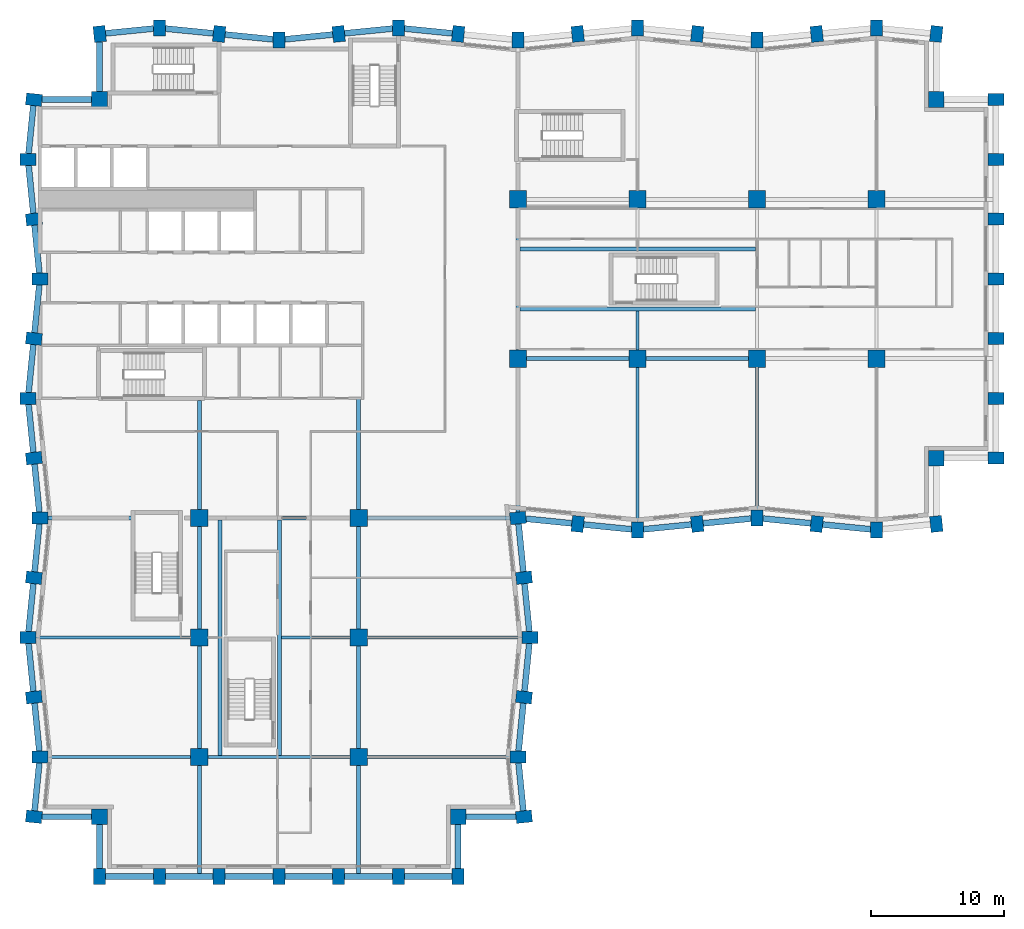
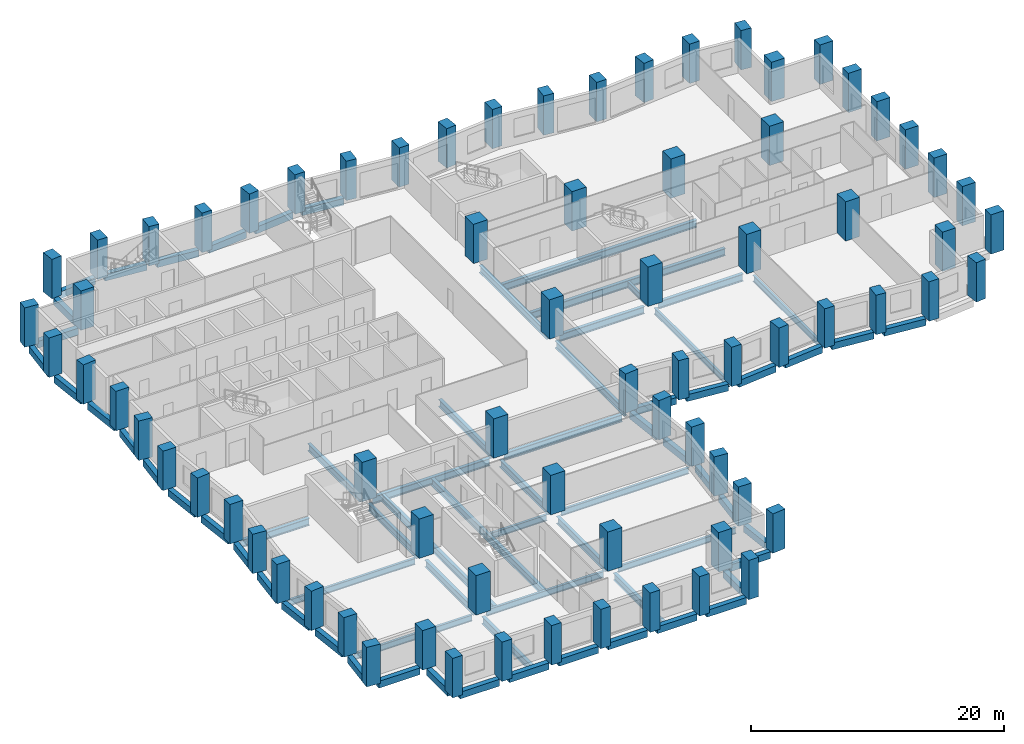
# One storey, part 1 of 11: 74 columns, 69 beams.
"""IFC4 building model written with IfcOpenShell, lengths in metres."""

from ifc_helpers import new_model, si_unit, direction, frame, origin, origin_2d, place, context, subcontext, project, spatial, rectangle, i_section, extrude, material, material_profile, profile_set, type_object, element, save


model = new_model("IFC4")

# Units and contexts
model_context = context("Model", 3, precision=1e-05, world=origin(), true_north=direction((0.0, 1.0)))
body_context = subcontext(model_context, "Body", "Model", "MODEL_VIEW")
ifc_project = project(units=[si_unit("LENGTHUNIT", "METRE"), si_unit("AREAUNIT", "SQUARE_METRE"), si_unit("VOLUMEUNIT", "CUBIC_METRE"), si_unit("PLANEANGLEUNIT", "RADIAN"), si_unit("MASSUNIT", "GRAM", prefix="KILO")], contexts=[model_context])

# Site, building, storey
site_placement = place(None, origin())
site = spatial("IfcSite", under=ifc_project, at=site_placement, CompositionType="ELEMENT")
building_placement = place(site_placement, origin())
building = spatial("IfcBuilding", under=site, at=building_placement, Name="Brondeck Convention Tower", CompositionType="ELEMENT")
storey_placement = place(building_placement, frame((0.0, 0.0, 107.5)))
storey = spatial("IfcBuildingStorey", under=building, at=storey_placement, Name="L25", CompositionType="ELEMENT", Elevation=107.5)

# Columns
ifc_material_1 = material(Name="Concrete C70/85", Category="concrete")
ifc_material_profile_1 = material_profile(ifc_material_1, rectangle(XDim=1.199951171875, YDim=1.199951171875, at=origin_2d()), Name="Corner column 1200x1200 Concrete C70/85")
ifc_profile_set_1 = profile_set([ifc_material_profile_1], Name="Concrete C70/85")
column_type_1 = type_object("IfcColumnType", Name="Corner column 1200x1200 Concrete C70/85", PredefinedType="COLUMN", material=ifc_profile_set_1)
for number, where, z_axis, x_axis, name in (
    (1, (4.5, 4.5, 0.0), (0.0, 0.0, 1.0), (1.0, 0.0, 0.0), "STR-COL-L25-NC-SWB0"),
    (2, (31.5, 4.5, 0.0), (0.0, 0.0, 1.0), (1.0, 0.0, 0.0), "STR-COL-L25-NC-SEB0"),
    (3, (67.5, 31.5, 0.0), (0.0, 0.0, 1.0), (1.0, 0.0, 0.0), "STR-COL-L25-NC-SEA72"),
    (4, (67.5, 58.5, 0.0), (0.0, 0.0, 1.0), (1.0, 0.0, 0.0), "STR-COL-L25-NC-NEA72"),
    (5, (4.5, 58.5, 0.0), (0.0, 0.0, 1.0), (1.0, 0.0, 0.0), "STR-COL-L25-NC-NW"),
):
    element("IfcColumn", number, at=place(storey_placement, frame(where, z_axis=z_axis, x_axis=x_axis)), inside=storey, type_object=column_type_1, Name=name, PredefinedType="COLUMN", context=body_context, shape_type="SweptSolid", body=[
        extrude(rectangle(XDim=1.199951171875, YDim=1.199951171875, at=origin_2d()), origin(), (0.0, 0.0, 1.0), 3.800048828125),
    ])
ifc_material_profile_2 = material_profile(ifc_material_1, rectangle(XDim=1.300048828125, YDim=1.300048828125, at=origin_2d()), Name="Interior column 1300x1300 Concrete C70/85")
ifc_profile_set_2 = profile_set([ifc_material_profile_2], Name="Concrete C70/85")
column_type_2 = type_object("IfcColumnType", Name="Interior column 1300x1300 Concrete C70/85", PredefinedType="COLUMN", material=ifc_profile_set_2)
for number, where, z_axis, x_axis, name in (
    (6, (12.0, 9.0, 0.0), (0.0, 0.0, 1.0), (1.0, 0.0, 0.0), "STR-COL-L25-IC-01"),
    (7, (12.0, 18.0, 0.0), (0.0, 0.0, 1.0), (1.0, 0.0, 0.0), "STR-COL-L25-IC-02"),
    (8, (12.0, 27.0, 0.0), (0.0, 0.0, 1.0), (1.0, 0.0, 0.0), "STR-COL-L25-IC-03"),
    (9, (24.0, 9.0, 0.0), (0.0, 0.0, 1.0), (1.0, 0.0, 0.0), "STR-COL-L25-IC-04"),
    (10, (24.0, 18.0, 0.0), (0.0, 0.0, 1.0), (1.0, 0.0, 0.0), "STR-COL-L25-IC-05"),
    (11, (24.0, 27.0, 0.0), (0.0, 0.0, 1.0), (1.0, 0.0, 0.0), "STR-COL-L25-IC-06"),
    (12, (36.0, 39.0, 0.0), (0.0, 0.0, 1.0), (1.0, 0.0, 0.0), "STR-COL-L25-IC-07"),
    (13, (36.0, 51.0, 0.0), (0.0, 0.0, 1.0), (1.0, 0.0, 0.0), "STR-COL-L25-IC-08"),
    (14, (45.0, 39.0, 0.0), (0.0, 0.0, 1.0), (1.0, 0.0, 0.0), "STR-COL-L25-IC-09"),
    (15, (45.0, 51.0, 0.0), (0.0, 0.0, 1.0), (1.0, 0.0, 0.0), "STR-COL-L25-IC-10"),
    (16, (54.0, 39.0, 0.0), (0.0, 0.0, 1.0), (1.0, 0.0, 0.0), "STR-COL-L25-IC-11"),
    (17, (54.0, 51.0, 0.0), (0.0, 0.0, 1.0), (1.0, 0.0, 0.0), "STR-COL-L25-IC-12"),
    (18, (63.0, 39.0, 0.0), (0.0, 0.0, 1.0), (1.0, 0.0, 0.0), "STR-COL-L25-IC-13"),
    (19, (63.0, 51.0, 0.0), (0.0, 0.0, 1.0), (1.0, 0.0, 0.0), "STR-COL-L25-IC-14"),
):
    element("IfcColumn", number, at=place(storey_placement, frame(where, z_axis=z_axis, x_axis=x_axis)), inside=storey, type_object=column_type_2, Name=name, PredefinedType="COLUMN", context=body_context, shape_type="SweptSolid", body=[
        extrude(rectangle(XDim=1.300048828125, YDim=1.300048828125, at=origin_2d()), origin(), (0.0, 0.0, 1.0), 3.800048828125),
    ])
ifc_material_profile_3 = material_profile(ifc_material_1, rectangle(XDim=0.89990234375, YDim=1.199951171875, at=origin_2d()), Name="Perimeter pier 900x1200 Concrete C70/85")
ifc_profile_set_3 = profile_set([ifc_material_profile_3], Name="Concrete C70/85")
column_type_3 = type_object("IfcColumnType", Name="Perimeter pier 900x1200 Concrete C70/85", PredefinedType="COLUMN", material=ifc_profile_set_3)
for number, where, z_axis, x_axis, name in (
    (20, (4.5, 0.0, 0.0), (0.0, 0.0, 1.0), (1.0, 0.0, 0.0), "STR-COL-L25-PC-B-S0-01"),
    (21, (9.0, 0.0, 0.0), (0.0, 0.0, 1.0), (1.0, 0.0, 0.0), "STR-COL-L25-PC-B-S0-02"),
    (22, (13.5, 0.0, 0.0), (0.0, 0.0, 1.0), (1.0, 0.0, 0.0), "STR-COL-L25-PC-B-S0-03"),
    (23, (18.0, 0.0, 0.0), (0.0, 0.0, 1.0), (1.0, 0.0, 0.0), "STR-COL-L25-PC-B-S0-04"),
    (24, (22.5, 0.0, 0.0), (0.0, 0.0, 1.0), (1.0, 0.0, 0.0), "STR-COL-L25-PC-B-S0-05"),
    (25, (27.0, 0.0, 0.0), (0.0, 0.0, 1.0), (1.0, 0.0, 0.0), "STR-COL-L25-PC-B-S0-06"),
    (26, (31.5, 0.0, 0.0), (0.0, 0.0, 1.0), (1.0, 0.0, 0.0), "STR-COL-L25-PC-B-S0-07"),
    (27, (36.449951171875, 4.5, 0.0), (0.0, 0.0, 1.0), (-0.0995038382, 0.995037178292, 0.0), "STR-COL-L25-PC-B-E-05"),
    (28, (36.0, 9.0, 0.0), (0.0, 0.0, 1.0), (0.0, 1.0, 0.0), "STR-COL-L25-PC-B-E-04"),
    (29, (36.449951171875, 13.5, 0.0), (0.0, 0.0, 1.0), (0.0995038382, 0.995037178292, 0.0), "STR-COL-L25-PC-B-E-03"),
    (30, (36.89990234375, 18.0, 0.0), (0.0, 0.0, 1.0), (0.0, 1.0, 0.0), "STR-COL-L25-PC-B-E-02"),
    (31, (36.449951171875, 22.5, 0.0), (0.0, 0.0, 1.0), (-0.0995038382, 0.995037178292, 0.0), "STR-COL-L25-PC-B-E-01"),
    (32, (36.0, 27.0, 0.0), (0.0, 0.0, 1.0), (-0.0995038382, 0.995037178292, 0.0), "STR-COL-L25-PC-B-E-00"),
    (33, (40.5, 26.550048828125, 0.0), (0.0, 0.0, 1.0), (0.995037178292, -0.0995038382, 0.0), "STR-COL-L25-PC-A-S-01"),
    (34, (45.0, 26.10009765625, 0.0), (0.0, 0.0, 1.0), (1.0, 0.0, 0.0), "STR-COL-L25-PC-A-S-02"),
    (35, (49.5, 26.550048828125, 0.0), (0.0, 0.0, 1.0), (0.995037178292, 0.0995038382, 0.0), "STR-COL-L25-PC-A-S-03"),
    (36, (54.0, 27.0, 0.0), (0.0, 0.0, 1.0), (1.0, 0.0, 0.0), "STR-COL-L25-PC-A-S-04"),
    (37, (58.5, 26.550048828125, 0.0), (0.0, 0.0, 1.0), (0.995037178292, -0.0995038382, 0.0), "STR-COL-L25-PC-A-S-05"),
    (38, (63.0, 26.10009765625, 0.0), (0.0, 0.0, 1.0), (1.0, 0.0, 0.0), "STR-COL-L25-PC-A-S-06"),
    (39, (67.5, 26.550048828125, 0.0), (0.0, 0.0, 1.0), (0.995037178292, 0.0995038382, 0.0), "STR-COL-L25-PC-A-S-07"),
    (40, (72.0, 31.5, 0.0), (0.0, 0.0, 1.0), (0.0, 1.0, 0.0), "STR-COL-L25-PC-A-E72-01"),
    (41, (72.0, 36.0, 0.0), (0.0, 0.0, 1.0), (0.0, 1.0, 0.0), "STR-COL-L25-PC-A-E72-02"),
    (42, (72.0, 40.5, 0.0), (0.0, 0.0, 1.0), (0.0, 1.0, 0.0), "STR-COL-L25-PC-A-E72-03"),
    (43, (72.0, 45.0, 0.0), (0.0, 0.0, 1.0), (0.0, 1.0, 0.0), "STR-COL-L25-PC-A-E72-04"),
    (44, (72.0, 49.5, 0.0), (0.0, 0.0, 1.0), (0.0, 1.0, 0.0), "STR-COL-L25-PC-A-E72-05"),
    (45, (72.0, 54.0, 0.0), (0.0, 0.0, 1.0), (0.0, 1.0, 0.0), "STR-COL-L25-PC-A-E72-06"),
    (46, (72.0, 58.5, 0.0), (0.0, 0.0, 1.0), (0.0, 1.0, 0.0), "STR-COL-L25-PC-A-E72-07"),
    (47, (67.5, 63.449951171875, 0.0), (0.0, 0.0, 1.0), (-0.995037178292, 0.0995038382, 0.0), "STR-COL-L25-PC-A-N-15"),
    (48, (63.0, 63.89990234375, 0.0), (0.0, 0.0, 1.0), (-1.0, 0.0, 0.0), "STR-COL-L25-PC-A-N-14"),
    (49, (58.5, 63.449951171875, 0.0), (0.0, 0.0, 1.0), (-0.995037178292, -0.0995038382, 0.0), "STR-COL-L25-PC-A-N-13"),
    (50, (54.0, 63.0, 0.0), (0.0, 0.0, 1.0), (-1.0, 0.0, 0.0), "STR-COL-L25-PC-A-N-12"),
    (51, (49.5, 63.449951171875, 0.0), (0.0, 0.0, 1.0), (-0.995037178292, 0.0995038382, 0.0), "STR-COL-L25-PC-A-N-11"),
    (52, (45.0, 63.89990234375, 0.0), (0.0, 0.0, 1.0), (-1.0, 0.0, 0.0), "STR-COL-L25-PC-A-N-10"),
    (53, (40.5, 63.449951171875, 0.0), (0.0, 0.0, 1.0), (-0.995037178292, -0.0995038382, 0.0), "STR-COL-L25-PC-A-N-09"),
    (54, (36.0, 63.0, 0.0), (0.0, 0.0, 1.0), (-1.0, 0.0, 0.0), "STR-COL-L25-PC-A-N-08"),
    (55, (31.5, 63.449951171875, 0.0), (0.0, 0.0, 1.0), (-0.995037178292, 0.0995038382, 0.0), "STR-COL-L25-PC-A-N-07"),
    (56, (27.0, 63.89990234375, 0.0), (0.0, 0.0, 1.0), (-1.0, 0.0, 0.0), "STR-COL-L25-PC-A-N-06"),
    (57, (22.5, 63.449951171875, 0.0), (0.0, 0.0, 1.0), (-0.995037178292, -0.0995038382, 0.0), "STR-COL-L25-PC-A-N-05"),
    (58, (18.0, 63.0, 0.0), (0.0, 0.0, 1.0), (-1.0, 0.0, 0.0), "STR-COL-L25-PC-A-N-04"),
    (59, (13.5, 63.449951171875, 0.0), (0.0, 0.0, 1.0), (-0.995037178292, 0.0995038382, 0.0), "STR-COL-L25-PC-A-N-03"),
    (60, (9.0, 63.89990234375, 0.0), (0.0, 0.0, 1.0), (-1.0, 0.0, 0.0), "STR-COL-L25-PC-A-N-02"),
    (61, (4.5, 63.449951171875, 0.0), (0.0, 0.0, 1.0), (-0.995037178292, -0.0995038382, 0.0), "STR-COL-L25-PC-A-N-01"),
    (62, (-0.449951171875, 58.5, 0.0), (0.0, 0.0, 1.0), (-0.0995038382, -0.995037178292, 0.0), "STR-COL-L25-PC-B-W-01"),
    (63, (-0.89990234375, 54.0, 0.0), (0.0, 0.0, 1.0), (0.0, -1.0, 0.0), "STR-COL-L25-PC-B-W-02"),
    (64, (-0.449951171875, 49.5, 0.0), (0.0, 0.0, 1.0), (0.0995038382, -0.995037178292, 0.0), "STR-COL-L25-PC-B-W-03"),
    (65, (0.0, 45.0, 0.0), (0.0, 0.0, 1.0), (0.0, -1.0, 0.0), "STR-COL-L25-PC-B-W-04"),
    (66, (-0.449951171875, 40.5, 0.0), (0.0, 0.0, 1.0), (-0.0995038382, -0.995037178292, 0.0), "STR-COL-L25-PC-B-W-05"),
    (67, (-0.89990234375, 36.0, 0.0), (0.0, 0.0, 1.0), (0.0, -1.0, 0.0), "STR-COL-L25-PC-B-W-06"),
    (68, (-0.449951171875, 31.5, 0.0), (0.0, 0.0, 1.0), (0.0995038382, -0.995037178292, 0.0), "STR-COL-L25-PC-B-W-07"),
    (69, (0.0, 27.0, 0.0), (0.0, 0.0, 1.0), (0.0, -1.0, 0.0), "STR-COL-L25-PC-B-W-08"),
    (70, (-0.449951171875, 22.5, 0.0), (0.0, 0.0, 1.0), (-0.0995038382, -0.995037178292, 0.0), "STR-COL-L25-PC-B-W-09"),
    (71, (-0.89990234375, 18.0, 0.0), (0.0, 0.0, 1.0), (0.0, -1.0, 0.0), "STR-COL-L25-PC-B-W-10"),
    (72, (-0.449951171875, 13.5, 0.0), (0.0, 0.0, 1.0), (0.0995038382, -0.995037178292, 0.0), "STR-COL-L25-PC-B-W-11"),
    (73, (0.0, 9.0, 0.0), (0.0, 0.0, 1.0), (0.0, -1.0, 0.0), "STR-COL-L25-PC-B-W-12"),
    (74, (-0.449951171875, 4.5, 0.0), (0.0, 0.0, 1.0), (-0.0995038382, -0.995037178292, 0.0), "STR-COL-L25-PC-B-W-13"),
):
    element("IfcColumn", number, at=place(storey_placement, frame(where, z_axis=z_axis, x_axis=x_axis)), inside=storey, type_object=column_type_3, Name=name, PredefinedType="COLUMN", context=body_context, shape_type="SweptSolid", body=[
        extrude(rectangle(XDim=0.89990234375, YDim=1.199951171875, at=origin_2d()), origin(), (0.0, 0.0, 1.0), 3.800048828125),
    ])

# Beams
ifc_material_2 = material(Name="Steel S355", Category="steel")
ifc_material_profile_4 = material_profile(ifc_material_2, i_section(OverallWidth=0.219970703125, OverallDepth=0.60009765625, WebThickness=0.011962890625, FlangeThickness=0.01904296875, FilletRadius=0.02392578125, at=origin_2d()), Name="IPE 600")
ifc_profile_set_4 = profile_set([ifc_material_profile_4], Name="Steel S355")
beam_type_1 = type_object("IfcBeamType", Name="Floor beam IPE 600", PredefinedType="BEAM", material=ifc_profile_set_4)
beam_1_placement = place(storey_placement, frame((45.0, 26.699951171875, -0.60009765625), z_axis=(0.0, 1.0, 0.0), x_axis=(-1.0, 0.0, 0.0)))
element("IfcBeam", 75, at=beam_1_placement, inside=storey, type_object=beam_type_1, Name="STR-FB-L25-001", PredefinedType="BEAM", context=body_context, shape_type="SweptSolid", body=[
    extrude(i_section(OverallWidth=0.219970703125, OverallDepth=0.60009765625, WebThickness=0.011962890625, FlangeThickness=0.01904296875, FilletRadius=0.02392578125, at=origin_2d()), origin(), (0.0, 0.0, 1.0), 11.650146484375),
])
for number, where, z_axis, x_axis, name in (
    (76, (54.0, 27.60009765625, -0.60009765625), (0.0, 1.0, 0.0), (-1.0, 0.0, 0.0), "STR-FB-L25-003"),
    (77, (0.60009765625, 9.0, -0.60009765625), (1.0, 0.0, 0.0), (0.0, 1.0, 0.0), "STR-FB-L25-009"),
):
    element("IfcBeam", number, at=place(storey_placement, frame(where, z_axis=z_axis, x_axis=x_axis)), inside=storey, type_object=beam_type_1, Name=name, PredefinedType="BEAM", context=body_context, shape_type="SweptSolid", body=[
        extrude(i_section(OverallWidth=0.219970703125, OverallDepth=0.60009765625, WebThickness=0.011962890625, FlangeThickness=0.01904296875, FilletRadius=0.02392578125, at=origin_2d()), origin(), (0.0, 0.0, 1.0), 10.75),
    ])
beam_2_placement = place(storey_placement, frame((12.64990234375, 9.0, -0.60009765625), z_axis=(1.0, 0.0, 0.0), x_axis=(0.0, 1.0, 0.0)))
element("IfcBeam", 78, at=beam_2_placement, inside=storey, type_object=beam_type_1, Name="STR-FB-L25-010", PredefinedType="BEAM", context=body_context, shape_type="SweptSolid", body=[
    extrude(i_section(OverallWidth=0.219970703125, OverallDepth=0.60009765625, WebThickness=0.011962890625, FlangeThickness=0.01904296875, FilletRadius=0.02392578125, at=origin_2d()), origin(), (0.0, 0.0, 1.0), 10.7001953125),
])
beam_3_placement = place(storey_placement, frame((24.64990234375, 9.0, -0.60009765625), z_axis=(1.0, 0.0, 0.0), x_axis=(0.0, 1.0, 0.0)))
element("IfcBeam", 79, at=beam_3_placement, inside=storey, type_object=beam_type_1, Name="STR-FB-L25-011", PredefinedType="BEAM", context=body_context, shape_type="SweptSolid", body=[
    extrude(i_section(OverallWidth=0.219970703125, OverallDepth=0.60009765625, WebThickness=0.011962890625, FlangeThickness=0.01904296875, FilletRadius=0.02392578125, at=origin_2d()), origin(), (0.0, 0.0, 1.0), 10.75),
])
for number, where, z_axis, x_axis, name in (
    (80, (-0.300048828125, 18.0, -0.60009765625), (1.0, 0.0, 0.0), (0.0, 1.0, 0.0), "STR-FB-L25-012"),
    (81, (24.64990234375, 18.0, -0.60009765625), (1.0, 0.0, 0.0), (0.0, 1.0, 0.0), "STR-FB-L25-013"),
):
    element("IfcBeam", number, at=place(storey_placement, frame(where, z_axis=z_axis, x_axis=x_axis)), inside=storey, type_object=beam_type_1, Name=name, PredefinedType="BEAM", context=body_context, shape_type="SweptSolid", body=[
        extrude(i_section(OverallWidth=0.219970703125, OverallDepth=0.60009765625, WebThickness=0.011962890625, FlangeThickness=0.01904296875, FilletRadius=0.02392578125, at=origin_2d()), origin(), (0.0, 0.0, 1.0), 11.650146484375),
    ])
beam_4_placement = place(storey_placement, frame((45.0, 39.64990234375, -0.60009765625), z_axis=(0.0, 1.0, 0.0), x_axis=(-1.0, 0.0, 0.0)))
element("IfcBeam", 82, at=beam_4_placement, inside=storey, type_object=beam_type_1, Name="STR-FB-L25-014", PredefinedType="BEAM", context=body_context, shape_type="SweptSolid", body=[
    extrude(i_section(OverallWidth=0.219970703125, OverallDepth=0.60009765625, WebThickness=0.011962890625, FlangeThickness=0.01904296875, FilletRadius=0.02392578125, at=origin_2d()), origin(), (0.0, 0.0, 1.0), 2.9501953125),
])
beam_5_placement = place(storey_placement, frame((18.199951171875, 18.0, -0.60009765625), z_axis=(1.0, 0.0, 0.0), x_axis=(0.0, 1.0, 0.0)))
element("IfcBeam", 83, at=beam_5_placement, inside=storey, type_object=beam_type_1, Name="STR-FB-L25-016", PredefinedType="BEAM", context=body_context, shape_type="SweptSolid", body=[
    extrude(i_section(OverallWidth=0.219970703125, OverallDepth=0.60009765625, WebThickness=0.011962890625, FlangeThickness=0.01904296875, FilletRadius=0.02392578125, at=origin_2d()), origin(), (0.0, 0.0, 1.0), 5.150146484375),
])
ifc_material_profile_5 = material_profile(ifc_material_2, i_section(OverallWidth=0.300048828125, OverallDepth=0.699951171875, WebThickness=0.01708984375, FlangeThickness=0.031982421875, FilletRadius=0.027099609375, at=origin_2d()), Name="HEB 700")
ifc_profile_set_5 = profile_set([ifc_material_profile_5], Name="Steel S355")
beam_type_2 = type_object("IfcBeamType", Name="Girder HEB 700", PredefinedType="BEAM", material=ifc_profile_set_5)
for number, where, z_axis, x_axis, name in (
    (84, (36.64990234375, 39.0, -0.64990234375), (1.0, 0.0, 0.0), (0.0, 1.0, 0.0), "STR-GR-L25-001"),
    (85, (45.64990234375, 39.0, -0.64990234375), (1.0, 0.0, 0.0), (0.0, 1.0, 0.0), "STR-GR-L25-002"),
):
    element("IfcBeam", number, at=place(storey_placement, frame(where, z_axis=z_axis, x_axis=x_axis)), inside=storey, type_object=beam_type_2, Name=name, PredefinedType="BEAM", context=body_context, shape_type="SweptSolid", body=[
        extrude(i_section(OverallWidth=0.300048828125, OverallDepth=0.699951171875, WebThickness=0.01708984375, FlangeThickness=0.031982421875, FilletRadius=0.027099609375, at=origin_2d()), origin(), (0.0, 0.0, 1.0), 7.7001953125),
    ])
beam_6_placement = place(storey_placement, frame((36.0, 27.4521484375, -0.64990234375), z_axis=(0.0, 1.0, 0.0), x_axis=(-1.0, 0.0, 0.0)))
element("IfcBeam", 86, at=beam_6_placement, inside=storey, type_object=beam_type_2, Name="STR-GR-L25-009", PredefinedType="BEAM", context=body_context, shape_type="SweptSolid", body=[
    extrude(i_section(OverallWidth=0.300048828125, OverallDepth=0.699951171875, WebThickness=0.01708984375, FlangeThickness=0.031982421875, FilletRadius=0.027099609375, at=origin_2d()), origin(), (0.0, 0.0, 1.0), 10.89794921875),
])
beam_7_placement = place(storey_placement, frame((36.0, 39.64990234375, -0.64990234375), z_axis=(0.0, 1.0, 0.0), x_axis=(-1.0, 0.0, 0.0)))
element("IfcBeam", 87, at=beam_7_placement, inside=storey, type_object=beam_type_2, Name="STR-GR-L25-010", PredefinedType="BEAM", context=body_context, shape_type="SweptSolid", body=[
    extrude(i_section(OverallWidth=0.300048828125, OverallDepth=0.699951171875, WebThickness=0.01708984375, FlangeThickness=0.031982421875, FilletRadius=0.027099609375, at=origin_2d()), origin(), (0.0, 0.0, 1.0), 10.7001953125),
])
beam_8_placement = place(storey_placement, frame((12.0, 35.85009765625, -0.64990234375), z_axis=(0.0, -1.0, 0.0), x_axis=(1.0, 0.0, 0.0)))
element("IfcBeam", 88, at=beam_8_placement, inside=storey, type_object=beam_type_2, Name="STR-GR-L25-013", PredefinedType="BEAM", context=body_context, shape_type="SweptSolid", body=[
    extrude(i_section(OverallWidth=0.300048828125, OverallDepth=0.699951171875, WebThickness=0.01708984375, FlangeThickness=0.031982421875, FilletRadius=0.027099609375, at=origin_2d()), origin(), (0.0, 0.0, 1.0), 8.2001953125),
])
for number, where, z_axis, x_axis, name in (
    (89, (12.0, 26.35009765625, -0.64990234375), (0.0, -1.0, 0.0), (1.0, 0.0, 0.0), "STR-GR-L25-014"),
    (90, (12.0, 17.35009765625, -0.64990234375), (0.0, -1.0, 0.0), (1.0, 0.0, 0.0), "STR-GR-L25-015"),
):
    element("IfcBeam", number, at=place(storey_placement, frame(where, z_axis=z_axis, x_axis=x_axis)), inside=storey, type_object=beam_type_2, Name=name, PredefinedType="BEAM", context=body_context, shape_type="SweptSolid", body=[
        extrude(i_section(OverallWidth=0.300048828125, OverallDepth=0.699951171875, WebThickness=0.01708984375, FlangeThickness=0.031982421875, FilletRadius=0.027099609375, at=origin_2d()), origin(), (0.0, 0.0, 1.0), 7.7001953125),
    ])
beam_9_placement = place(storey_placement, frame((12.0, 8.35009765625, -0.64990234375), z_axis=(0.0, -1.0, 0.0), x_axis=(1.0, 0.0, 0.0)))
element("IfcBeam", 91, at=beam_9_placement, inside=storey, type_object=beam_type_2, Name="STR-GR-L25-016", PredefinedType="BEAM", context=body_context, shape_type="SweptSolid", body=[
    extrude(i_section(OverallWidth=0.300048828125, OverallDepth=0.699951171875, WebThickness=0.01708984375, FlangeThickness=0.031982421875, FilletRadius=0.027099609375, at=origin_2d()), origin(), (0.0, 0.0, 1.0), 8.125),
])
beam_10_placement = place(storey_placement, frame((24.0, 35.955078125, -0.64990234375), z_axis=(0.0, -1.0, 0.0), x_axis=(1.0, 0.0, 0.0)))
element("IfcBeam", 92, at=beam_10_placement, inside=storey, type_object=beam_type_2, Name="STR-GR-L25-017", PredefinedType="BEAM", context=body_context, shape_type="SweptSolid", body=[
    extrude(i_section(OverallWidth=0.300048828125, OverallDepth=0.699951171875, WebThickness=0.01708984375, FlangeThickness=0.031982421875, FilletRadius=0.027099609375, at=origin_2d()), origin(), (0.0, 0.0, 1.0), 8.30517578125),
])
for number, where, z_axis, x_axis, name in (
    (93, (24.0, 26.35009765625, -0.64990234375), (0.0, -1.0, 0.0), (1.0, 0.0, 0.0), "STR-GR-L25-018"),
    (94, (24.0, 17.35009765625, -0.64990234375), (0.0, -1.0, 0.0), (1.0, 0.0, 0.0), "STR-GR-L25-019"),
):
    element("IfcBeam", number, at=place(storey_placement, frame(where, z_axis=z_axis, x_axis=x_axis)), inside=storey, type_object=beam_type_2, Name=name, PredefinedType="BEAM", context=body_context, shape_type="SweptSolid", body=[
        extrude(i_section(OverallWidth=0.300048828125, OverallDepth=0.699951171875, WebThickness=0.01708984375, FlangeThickness=0.031982421875, FilletRadius=0.027099609375, at=origin_2d()), origin(), (0.0, 0.0, 1.0), 7.7001953125),
    ])
beam_11_placement = place(storey_placement, frame((24.0, 8.35009765625, -0.64990234375), z_axis=(0.0, -1.0, 0.0), x_axis=(1.0, 0.0, 0.0)))
element("IfcBeam", 95, at=beam_11_placement, inside=storey, type_object=beam_type_2, Name="STR-GR-L25-020", PredefinedType="BEAM", context=body_context, shape_type="SweptSolid", body=[
    extrude(i_section(OverallWidth=0.300048828125, OverallDepth=0.699951171875, WebThickness=0.01708984375, FlangeThickness=0.031982421875, FilletRadius=0.027099609375, at=origin_2d()), origin(), (0.0, 0.0, 1.0), 8.125),
])
beam_12_placement = place(storey_placement, frame((0.60009765625, 27.0, -0.64990234375), z_axis=(1.0, 0.0, 0.0), x_axis=(0.0, 1.0, 0.0)))
element("IfcBeam", 96, at=beam_12_placement, inside=storey, type_object=beam_type_2, Name="STR-GR-L25-021", PredefinedType="BEAM", context=body_context, shape_type="SweptSolid", body=[
    extrude(i_section(OverallWidth=0.300048828125, OverallDepth=0.699951171875, WebThickness=0.01708984375, FlangeThickness=0.031982421875, FilletRadius=0.027099609375, at=origin_2d()), origin(), (0.0, 0.0, 1.0), 6.27978515625),
])
beam_13_placement = place(storey_placement, frame((12.64990234375, 27.0, -0.64990234375), z_axis=(1.0, 0.0, 0.0), x_axis=(0.0, 1.0, 0.0)))
element("IfcBeam", 97, at=beam_13_placement, inside=storey, type_object=beam_type_2, Name="STR-GR-L25-022", PredefinedType="BEAM", context=body_context, shape_type="SweptSolid", body=[
    extrude(i_section(OverallWidth=0.300048828125, OverallDepth=0.699951171875, WebThickness=0.01708984375, FlangeThickness=0.031982421875, FilletRadius=0.027099609375, at=origin_2d()), origin(), (0.0, 0.0, 1.0), 10.7001953125),
])
beam_14_placement = place(storey_placement, frame((24.64990234375, 27.0, -0.64990234375), z_axis=(1.0, 0.0, 0.0), x_axis=(0.0, 1.0, 0.0)))
element("IfcBeam", 98, at=beam_14_placement, inside=storey, type_object=beam_type_2, Name="STR-GR-L25-023", PredefinedType="BEAM", context=body_context, shape_type="SweptSolid", body=[
    extrude(i_section(OverallWidth=0.300048828125, OverallDepth=0.699951171875, WebThickness=0.01708984375, FlangeThickness=0.031982421875, FilletRadius=0.027099609375, at=origin_2d()), origin(), (0.0, 0.0, 1.0), 10.7470703125),
])
for number, where, z_axis, x_axis, name in (
    (99, (36.14990234375, 42.75, -0.64990234375), (1.0, 0.0, 0.0), (0.0, 1.0, 0.0), "STR-GR-L25-024"),
    (100, (36.14990234375, 47.25, -0.64990234375), (1.0, 0.0, 0.0), (0.0, 1.0, 0.0), "STR-GR-L25-025"),
    (101, (13.550048828125, 9.110107421875, -0.64990234375), (0.0, 1.0, 0.0), (-1.0, 0.0, 0.0), "STR-GR-L25-026"),
    (102, (18.050048828125, 9.110107421875, -0.64990234375), (0.0, 1.0, 0.0), (-1.0, 0.0, 0.0), "STR-GR-L25-027"),
):
    element("IfcBeam", number, at=place(storey_placement, frame(where, z_axis=z_axis, x_axis=x_axis)), inside=storey, type_object=beam_type_2, Name=name, PredefinedType="BEAM", context=body_context, shape_type="SweptSolid", body=[
        extrude(i_section(OverallWidth=0.300048828125, OverallDepth=0.699951171875, WebThickness=0.01708984375, FlangeThickness=0.031982421875, FilletRadius=0.027099609375, at=origin_2d()), origin(), (0.0, 0.0, 1.0), 17.739990234375),
    ])
ifc_material_profile_6 = material_profile(ifc_material_1, rectangle(XDim=0.449951171875, YDim=0.64990234375, at=origin_2d()), Name="Precast spandrel 450x650 Concrete C70/85")
ifc_profile_set_6 = profile_set([ifc_material_profile_6], Name="Concrete C70/85")
beam_type_3 = type_object("IfcBeamType", Name="Precast spandrel 450x650 Concrete C70/85", PredefinedType="SPANDREL", material=ifc_profile_set_6)
for number, where, z_axis, x_axis, name in (
    (103, (4.949951171875, 0.0, -0.324951171875), (1.0, 0.0, 0.0), (0.0, 1.0, 0.0), "STR-SP-L25-001"),
    (104, (9.449951171875, 0.0, -0.324951171875), (1.0, 0.0, 0.0), (0.0, 1.0, 0.0), "STR-SP-L25-002"),
    (105, (13.949951171875, 0.0, -0.324951171875), (1.0, 0.0, 0.0), (0.0, 1.0, 0.0), "STR-SP-L25-003"),
    (106, (18.449951171875, 0.0, -0.324951171875), (1.0, 0.0, 0.0), (0.0, 1.0, 0.0), "STR-SP-L25-004"),
    (107, (22.949951171875, 0.0, -0.324951171875), (1.0, 0.0, 0.0), (0.0, 1.0, 0.0), "STR-SP-L25-005"),
    (108, (27.449951171875, 0.0, -0.324951171875), (1.0, 0.0, 0.0), (0.0, 1.0, 0.0), "STR-SP-L25-006"),
):
    element("IfcBeam", number, at=place(storey_placement, frame(where, z_axis=z_axis, x_axis=x_axis)), inside=storey, type_object=beam_type_3, Name=name, PredefinedType="SPANDREL", context=body_context, shape_type="SweptSolid", body=[
        extrude(rectangle(XDim=0.449951171875, YDim=0.64990234375, at=origin_2d()), origin(), (0.0, 0.0, 1.0), 3.60009765625),
    ])
beam_15_placement = place(storey_placement, frame((31.5, 0.60009765625, -0.324951171875), z_axis=(0.0, 1.0, 0.0), x_axis=(-1.0, 0.0, 0.0)))
element("IfcBeam", 109, at=beam_15_placement, inside=storey, type_object=beam_type_3, Name="STR-SP-L25-007", PredefinedType="SPANDREL", context=body_context, shape_type="SweptSolid", body=[
    extrude(rectangle(XDim=0.449951171875, YDim=0.64990234375, at=origin_2d()), origin(), (0.0, 0.0, 1.0), 3.2998046875),
])
beam_16_placement = place(storey_placement, frame((32.10009765625, 4.5, -0.324951171875), z_axis=(1.0, 0.0, 0.0), x_axis=(0.0, 1.0, 0.0)))
element("IfcBeam", 110, at=beam_16_placement, inside=storey, type_object=beam_type_3, Name="STR-SP-L25-008", PredefinedType="SPANDREL", context=body_context, shape_type="SweptSolid", body=[
    extrude(rectangle(XDim=0.449951171875, YDim=0.64990234375, at=origin_2d()), origin(), (0.0, 0.0, 1.0), 3.746826171875),
])
for number, where, z_axis, x_axis, name in (
    (111, (36.4052734375, 4.94775390625, -0.324951171875), (-0.099537103649, 0.995033851182, 0.0), (-0.995033851182, -0.099537103649, 0.0), "STR-SP-L25-009"),
    (112, (36.044921875, 9.449951171875, -0.324951171875), (0.099537103649, 0.995033851182, 0.0), (-0.995033851182, 0.099537103649, 0.0), "STR-SP-L25-010"),
    (113, (36.494873046875, 13.94775390625, -0.324951171875), (0.099470334057, 0.995040528141, 0.0), (-0.995040528141, 0.099470334057, 0.0), "STR-SP-L25-011"),
    (114, (36.85498046875, 18.449951171875, -0.324951171875), (-0.099470334057, 0.995040528141, 0.0), (-0.995040528141, -0.099470334057, 0.0), "STR-SP-L25-012"),
):
    element("IfcBeam", number, at=place(storey_placement, frame(where, z_axis=z_axis, x_axis=x_axis)), inside=storey, type_object=beam_type_3, Name=name, PredefinedType="SPANDREL", context=body_context, shape_type="SweptSolid", body=[
        extrude(rectangle(XDim=0.449951171875, YDim=0.64990234375, at=origin_2d()), origin(), (0.0, 0.0, 1.0), 3.620361328125),
    ])
beam_17_placement = place(storey_placement, frame((36.4052734375, 22.94775390625, -0.324951171875), z_axis=(-0.099543756114, 0.995033185687, 0.0), x_axis=(-0.995033185687, -0.099543756114, 0.0)))
element("IfcBeam", 115, at=beam_17_placement, inside=storey, type_object=beam_type_3, Name="STR-SP-L25-013", PredefinedType="SPANDREL", context=body_context, shape_type="SweptSolid", body=[
    extrude(rectangle(XDim=0.449951171875, YDim=0.64990234375, at=origin_2d()), origin(), (0.0, 0.0, 1.0), 3.62255859375),
])
beam_18_placement = place(storey_placement, frame((36.609130859375, 26.939208984375, -0.324951171875), z_axis=(0.995032299082, -0.099552618167, 0.0), x_axis=(0.099552618167, 0.995032299082, 0.0)))
element("IfcBeam", 116, at=beam_18_placement, inside=storey, type_object=beam_type_3, Name="STR-SP-L25-014", PredefinedType="SPANDREL", context=body_context, shape_type="SweptSolid", body=[
    extrude(rectangle(XDim=0.449951171875, YDim=0.64990234375, at=origin_2d()), origin(), (0.0, 0.0, 1.0), 3.460205078125),
])
for number, where, z_axis, x_axis, name in (
    (117, (40.94775390625, 26.505126953125, -0.324951171875), (0.995040528141, -0.099470334057, 0.0), (0.099470334057, 0.995040528141, 0.0), "STR-SP-L25-015"),
    (118, (45.449951171875, 26.14501953125, -0.324951171875), (0.995040528141, 0.099470334057, 0.0), (-0.099470334057, 0.995040528141, 0.0), "STR-SP-L25-016"),
    (119, (49.94775390625, 26.5947265625, -0.324951171875), (0.995033851182, 0.099537103649, 0.0), (-0.099537103649, 0.995033851182, 0.0), "STR-SP-L25-017"),
    (120, (54.449951171875, 26.955078125, -0.324951171875), (0.995033851182, -0.099537103649, 0.0), (0.099537103649, 0.995033851182, 0.0), "STR-SP-L25-018"),
    (121, (58.94775390625, 26.505126953125, -0.324951171875), (0.995040528141, -0.099470334057, 0.0), (0.099470334057, 0.995040528141, 0.0), "STR-SP-L25-019"),
    (122, (31.05224609375, 63.494873046875, -0.324951171875), (-0.995040528141, 0.099470334057, 0.0), (-0.099470334057, -0.995040528141, 0.0), "STR-SP-L25-039"),
    (123, (26.550048828125, 63.85498046875, -0.324951171875), (-0.995040528141, -0.099470334057, 0.0), (0.099470334057, -0.995040528141, 0.0), "STR-SP-L25-040"),
    (124, (22.05224609375, 63.4052734375, -0.324951171875), (-0.995033851182, -0.099537103649, 0.0), (0.099537103649, -0.995033851182, 0.0), "STR-SP-L25-041"),
    (125, (17.550048828125, 63.044921875, -0.324951171875), (-0.995033851182, 0.099537103649, 0.0), (-0.099537103649, -0.995033851182, 0.0), "STR-SP-L25-042"),
    (126, (13.05224609375, 63.494873046875, -0.324951171875), (-0.995040528141, 0.099470334057, 0.0), (-0.099470334057, -0.995040528141, 0.0), "STR-SP-L25-043"),
    (127, (8.550048828125, 63.85498046875, -0.324951171875), (-0.995040528141, -0.099470334057, 0.0), (0.099470334057, -0.995040528141, 0.0), "STR-SP-L25-044"),
):
    element("IfcBeam", number, at=place(storey_placement, frame(where, z_axis=z_axis, x_axis=x_axis)), inside=storey, type_object=beam_type_3, Name=name, PredefinedType="SPANDREL", context=body_context, shape_type="SweptSolid", body=[
        extrude(rectangle(XDim=0.449951171875, YDim=0.64990234375, at=origin_2d()), origin(), (0.0, 0.0, 1.0), 3.620361328125),
    ])
for number, where, z_axis, x_axis, name in (
    (128, (4.5, 62.846923828125, -0.324951171875), (0.0, -1.0, 0.0), (1.0, 0.0, 0.0), "STR-SP-L25-045"),
    (129, (3.89990234375, 58.5, -0.324951171875), (-1.0, 0.0, 0.0), (0.0, -1.0, 0.0), "STR-SP-L25-046"),
):
    element("IfcBeam", number, at=place(storey_placement, frame(where, z_axis=z_axis, x_axis=x_axis)), inside=storey, type_object=beam_type_3, Name=name, PredefinedType="SPANDREL", context=body_context, shape_type="SweptSolid", body=[
        extrude(rectangle(XDim=0.449951171875, YDim=0.64990234375, at=origin_2d()), origin(), (0.0, 0.0, 1.0), 3.746826171875),
    ])
for number, where, z_axis, x_axis, name in (
    (130, (-0.494873046875, 58.05224609375, -0.324951171875), (-0.099470334057, -0.995040528141, 0.0), (0.995040528141, -0.099470334057, 0.0), "STR-SP-L25-047"),
    (131, (-0.85498046875, 53.550048828125, -0.324951171875), (0.099470334057, -0.995040528141, 0.0), (0.995040528141, 0.099470334057, 0.0), "STR-SP-L25-048"),
    (132, (-0.4052734375, 49.05224609375, -0.324951171875), (0.099537103649, -0.995033851182, 0.0), (0.995033851182, 0.099537103649, 0.0), "STR-SP-L25-049"),
    (133, (-0.044921875, 44.550048828125, -0.324951171875), (-0.099537103649, -0.995033851182, 0.0), (0.995033851182, -0.099537103649, 0.0), "STR-SP-L25-050"),
    (134, (-0.494873046875, 40.05224609375, -0.324951171875), (-0.099470334057, -0.995040528141, 0.0), (0.995040528141, -0.099470334057, 0.0), "STR-SP-L25-051"),
    (135, (-0.85498046875, 35.550048828125, -0.324951171875), (0.099470334057, -0.995040528141, 0.0), (0.995040528141, 0.099470334057, 0.0), "STR-SP-L25-052"),
    (136, (-0.4052734375, 31.05224609375, -0.324951171875), (0.099537103649, -0.995033851182, 0.0), (0.995033851182, 0.099537103649, 0.0), "STR-SP-L25-053"),
    (137, (-0.044921875, 26.550048828125, -0.324951171875), (-0.099537103649, -0.995033851182, 0.0), (0.995033851182, -0.099537103649, 0.0), "STR-SP-L25-054"),
    (138, (-0.494873046875, 22.05224609375, -0.324951171875), (-0.099470334057, -0.995040528141, 0.0), (0.995040528141, -0.099470334057, 0.0), "STR-SP-L25-055"),
    (139, (-0.85498046875, 17.550048828125, -0.324951171875), (0.099470334057, -0.995040528141, 0.0), (0.995040528141, 0.099470334057, 0.0), "STR-SP-L25-056"),
    (140, (-0.4052734375, 13.05224609375, -0.324951171875), (0.099537103649, -0.995033851182, 0.0), (0.995033851182, 0.099537103649, 0.0), "STR-SP-L25-057"),
    (141, (-0.044921875, 8.550048828125, -0.324951171875), (-0.099537103649, -0.995033851182, 0.0), (0.995033851182, -0.099537103649, 0.0), "STR-SP-L25-058"),
):
    element("IfcBeam", number, at=place(storey_placement, frame(where, z_axis=z_axis, x_axis=x_axis)), inside=storey, type_object=beam_type_3, Name=name, PredefinedType="SPANDREL", context=body_context, shape_type="SweptSolid", body=[
        extrude(rectangle(XDim=0.449951171875, YDim=0.64990234375, at=origin_2d()), origin(), (0.0, 0.0, 1.0), 3.620361328125),
    ])
beam_19_placement = place(storey_placement, frame((0.153076171875, 4.5, -0.324951171875), z_axis=(1.0, 0.0, 0.0), x_axis=(0.0, 1.0, 0.0)))
element("IfcBeam", 142, at=beam_19_placement, inside=storey, type_object=beam_type_3, Name="STR-SP-L25-059", PredefinedType="SPANDREL", context=body_context, shape_type="SweptSolid", body=[
    extrude(rectangle(XDim=0.449951171875, YDim=0.64990234375, at=origin_2d()), origin(), (0.0, 0.0, 1.0), 3.746826171875),
])
beam_20_placement = place(storey_placement, frame((4.5, 3.89990234375, -0.324951171875), z_axis=(0.0, -1.0, 0.0), x_axis=(1.0, 0.0, 0.0)))
element("IfcBeam", 143, at=beam_20_placement, inside=storey, type_object=beam_type_3, Name="STR-SP-L25-060", PredefinedType="SPANDREL", context=body_context, shape_type="SweptSolid", body=[
    extrude(rectangle(XDim=0.449951171875, YDim=0.64990234375, at=origin_2d()), origin(), (0.0, 0.0, 1.0), 3.2998046875),
])

save(model, "model.ifc")
